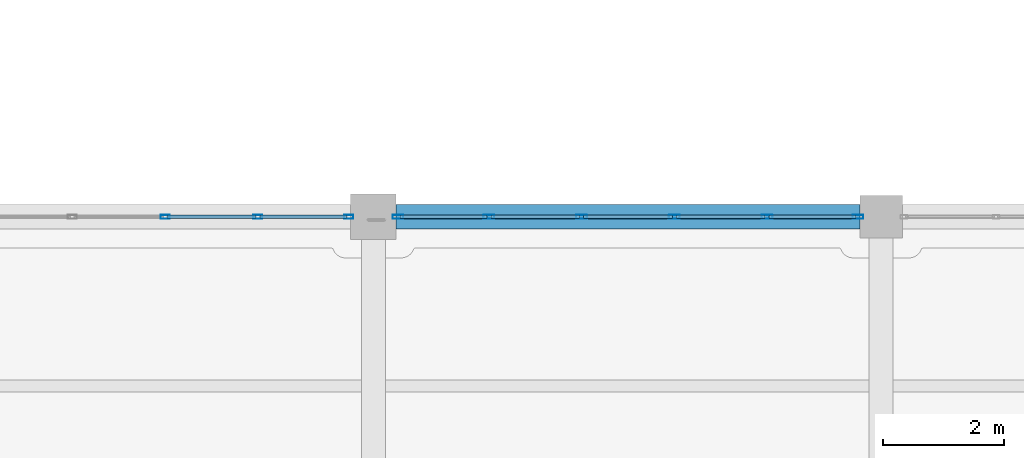
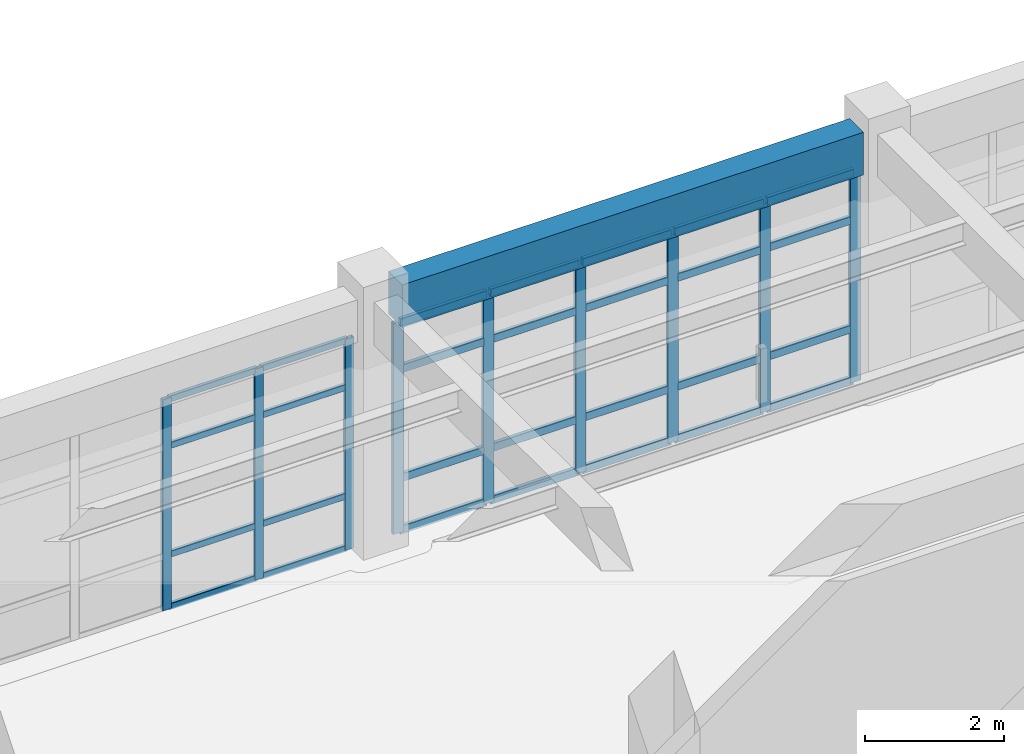
# One storey, part 22 of 98: 37 members, 1 beam, 2 elements without a shape of their own.
"""IFC4 building model written with IfcOpenShell, lengths in metres."""

from ifc_helpers import new_model, si_unit, direction, frame, origin, origin_2d, place, context, subcontext, project, spatial, rectangle, hollow_rectangle, extrude, material, material_profile, profile_set, type_object, element, aggregate, save


model = new_model("IFC4")

# Units and contexts
model_context = context("Model", 3, precision=1e-05, world=origin(), true_north=direction((0.0, 1.0)))
body_context = subcontext(model_context, "Body", "Model", "MODEL_VIEW")
ifc_project = project(units=[si_unit("LENGTHUNIT", "METRE"), si_unit("AREAUNIT", "SQUARE_METRE"), si_unit("VOLUMEUNIT", "CUBIC_METRE"), si_unit("PLANEANGLEUNIT", "RADIAN"), si_unit("MASSUNIT", "GRAM", prefix="KILO")], contexts=[model_context])

# Site, building, storey
site_placement = place(None, origin())
site = spatial("IfcSite", under=ifc_project, at=site_placement, CompositionType="ELEMENT")
building_placement = place(site_placement, origin())
building = spatial("IfcBuilding", under=site, at=building_placement, Name="Canglan Escarpment Cableway Terminal", CompositionType="ELEMENT")
storey_placement = place(building_placement, frame((0.0, 0.0, 9.60009765625)))
storey = spatial("IfcBuildingStorey", under=building, at=storey_placement, Name="L02", CompositionType="ELEMENT", Elevation=9.60009765625)

# Curtain wall, members
ifc_material_1 = material(Name="Anodized bronze aluminium and Low-E double glazing", Category="aluminium")
curtain_wall_type = type_object("IfcCurtainWallType", Name="CW-BAY-7675x3725", PredefinedType="NOTDEFINED", material=ifc_material_1)
curtain_wall_1_placement = place(storey_placement, origin())
curtain_wall_1 = element("IfcCurtainWall", 1, at=curtain_wall_1_placement, inside=storey, type_object=curtain_wall_type, Name="Classical bay-between-piers glazed curtain wall CW-05", PredefinedType="NOTDEFINED")
ifc_material_2 = material(Name="Thermally broken anodized aluminium 6063-T6", Category="aluminium")
ifc_material_profile_1 = material_profile(ifc_material_2, hollow_rectangle(XDim=0.06494140625, YDim=0.14990234375, WallThickness=0.00341796875, InnerFilletRadius=0.00341796875, OuterFilletRadius=0.007080078125, at=origin_2d()), Name="ALU-MULL 65x150x3.5")
ifc_profile_set_1 = profile_set([ifc_material_profile_1], Name="Thermally broken anodized aluminium 6063-T6")
member_type_1 = type_object("IfcMemberType", Name="CWM-02", PredefinedType="MULLION", material=ifc_profile_set_1)
member_1_placement = place(storey_placement, frame((84.992431640625, 24.800048828125, 0.0), z_axis=(0.0, 0.0, 1.0), x_axis=(0.0, -1.0, 0.0)))
member_1 = element("IfcMember", 2, at=member_1_placement, type_object=member_type_1, Name="CW-05 mullion 1", PredefinedType="MULLION", context=body_context, shape_type="SweptSolid", body=[
    extrude(hollow_rectangle(XDim=0.06494140625, YDim=0.14990234375, WallThickness=0.00341796875, InnerFilletRadius=0.00341796875, OuterFilletRadius=0.007080078125, at=origin_2d()), origin(), (0.0, 0.0, 1.0), 3.71484375),
])
member_2_placement = place(storey_placement, frame((83.489990234375, 24.800048828125, 0.0), z_axis=(0.0, 0.0, 1.0), x_axis=(0.0, -1.0, 0.0)))
member_2 = element("IfcMember", 3, at=member_2_placement, type_object=member_type_1, Name="CW-05 mullion 2", PredefinedType="MULLION", context=body_context, shape_type="SweptSolid", body=[
    extrude(hollow_rectangle(XDim=0.06494140625, YDim=0.14990234375, WallThickness=0.00341796875, InnerFilletRadius=0.00341796875, OuterFilletRadius=0.007080078125, at=origin_2d()), origin(), (0.0, 0.0, 1.0), 3.71484375),
])
member_3_placement = place(storey_placement, frame((81.955078125, 24.800048828125, 0.0), z_axis=(0.0, 0.0, 1.0), x_axis=(0.0, -1.0, 0.0)))
member_3 = element("IfcMember", 4, at=member_3_placement, type_object=member_type_1, Name="CW-05 mullion 3", PredefinedType="MULLION", context=body_context, shape_type="SweptSolid", body=[
    extrude(hollow_rectangle(XDim=0.06494140625, YDim=0.14990234375, WallThickness=0.00341796875, InnerFilletRadius=0.00341796875, OuterFilletRadius=0.007080078125, at=origin_2d()), origin(), (0.0, 0.0, 1.0), 3.71484375),
])

curtain_wall_2_placement = place(storey_placement, origin())
curtain_wall_2 = element("IfcCurtainWall", 5, at=curtain_wall_2_placement, inside=storey, type_object=curtain_wall_type, Name="Classical bay-between-piers glazed curtain wall CW-05", PredefinedType="NOTDEFINED")
ifc_material_profile_2 = material_profile(ifc_material_2, hollow_rectangle(XDim=0.06494140625, YDim=0.179931640625, WallThickness=0.00390625, InnerFilletRadius=0.00390625, OuterFilletRadius=0.008056640625, at=origin_2d()), Name="ALU-MULL 65x180x4")
ifc_profile_set_2 = profile_set([ifc_material_profile_2], Name="Thermally broken anodized aluminium 6063-T6")
member_type_2 = type_object("IfcMemberType", Name="CWM-03", PredefinedType="MULLION", material=ifc_profile_set_2)
member_4_placement = place(storey_placement, frame((93.41748046875, 24.800048828125, 0.0), z_axis=(0.0, 0.0, 1.0), x_axis=(0.0, -1.0, 0.0)))
member_4 = element("IfcMember", 6, at=member_4_placement, type_object=member_type_2, Name="CW-05 mullion 1", PredefinedType="MULLION", context=body_context, shape_type="SweptSolid", body=[
    extrude(hollow_rectangle(XDim=0.06494140625, YDim=0.179931640625, WallThickness=0.00390625, InnerFilletRadius=0.00390625, OuterFilletRadius=0.008056640625, at=origin_2d()), origin(), (0.0, 0.0, 1.0), 3.71484375),
])
member_5_placement = place(storey_placement, frame((91.9150390625, 24.800048828125, 0.0), z_axis=(0.0, 0.0, 1.0), x_axis=(0.0, -1.0, 0.0)))
member_5 = element("IfcMember", 7, at=member_5_placement, type_object=member_type_2, Name="CW-05 mullion 2", PredefinedType="MULLION", context=body_context, shape_type="SweptSolid", body=[
    extrude(hollow_rectangle(XDim=0.06494140625, YDim=0.179931640625, WallThickness=0.00390625, InnerFilletRadius=0.00390625, OuterFilletRadius=0.008056640625, at=origin_2d()), origin(), (0.0, 0.0, 1.0), 3.71484375),
])
member_6_placement = place(storey_placement, frame((90.3798828125, 24.800048828125, 0.0), z_axis=(0.0, 0.0, 1.0), x_axis=(0.0, -1.0, 0.0)))
member_6 = element("IfcMember", 8, at=member_6_placement, type_object=member_type_2, Name="CW-05 mullion 3", PredefinedType="MULLION", context=body_context, shape_type="SweptSolid", body=[
    extrude(hollow_rectangle(XDim=0.06494140625, YDim=0.179931640625, WallThickness=0.00390625, InnerFilletRadius=0.00390625, OuterFilletRadius=0.008056640625, at=origin_2d()), origin(), (0.0, 0.0, 1.0), 3.71484375),
])
member_7_placement = place(storey_placement, frame((88.844970703125, 24.800048828125, 0.0), z_axis=(0.0, 0.0, 1.0), x_axis=(0.0, -1.0, 0.0)))
member_7 = element("IfcMember", 9, at=member_7_placement, type_object=member_type_2, Name="CW-05 mullion 4", PredefinedType="MULLION", context=body_context, shape_type="SweptSolid", body=[
    extrude(hollow_rectangle(XDim=0.06494140625, YDim=0.179931640625, WallThickness=0.00390625, InnerFilletRadius=0.00390625, OuterFilletRadius=0.008056640625, at=origin_2d()), origin(), (0.0, 0.0, 1.0), 3.71484375),
])
member_8_placement = place(storey_placement, frame((87.31005859375, 24.800048828125, 0.0), z_axis=(0.0, 0.0, 1.0), x_axis=(0.0, -1.0, 0.0)))
member_8 = element("IfcMember", 10, at=member_8_placement, type_object=member_type_2, Name="CW-05 mullion 5", PredefinedType="MULLION", context=body_context, shape_type="SweptSolid", body=[
    extrude(hollow_rectangle(XDim=0.06494140625, YDim=0.179931640625, WallThickness=0.00390625, InnerFilletRadius=0.00390625, OuterFilletRadius=0.008056640625, at=origin_2d()), origin(), (0.0, 0.0, 1.0), 3.71484375),
])
member_9_placement = place(storey_placement, frame((85.8076171875, 24.800048828125, 0.0), z_axis=(0.0, 0.0, 1.0), x_axis=(0.0, -1.0, 0.0)))
member_9 = element("IfcMember", 11, at=member_9_placement, type_object=member_type_2, Name="CW-05 mullion 6", PredefinedType="MULLION", context=body_context, shape_type="SweptSolid", body=[
    extrude(hollow_rectangle(XDim=0.06494140625, YDim=0.179931640625, WallThickness=0.00390625, InnerFilletRadius=0.00390625, OuterFilletRadius=0.008056640625, at=origin_2d()), origin(), (0.0, 0.0, 1.0), 3.71484375),
])

# Member
ifc_material_profile_3 = material_profile(ifc_material_2, hollow_rectangle(XDim=0.06005859375, YDim=0.110107421875, WallThickness=0.0029296875, InnerFilletRadius=0.0029296875, OuterFilletRadius=0.006103515625, at=origin_2d()), Name="ALU-TRAN 60x110x3")
ifc_profile_set_3 = profile_set([ifc_material_profile_3], Name="Thermally broken anodized aluminium 6063-T6")
member_type_3 = type_object("IfcMemberType", Name="CWT-02", PredefinedType="USERDEFINED", material=ifc_profile_set_3)
member_10_placement = place(storey_placement, frame((84.9599609375, 24.800048828125, 0.02978515625), z_axis=(-1.0, 0.0, 0.0), x_axis=(0.0, -1.0, 0.0)))
member_10 = element("IfcMember", 12, at=member_10_placement, type_object=member_type_3, Name="CW-05 transom 1.1", ObjectType="TRANSOM", PredefinedType="USERDEFINED", context=body_context, shape_type="SweptSolid", body=[
    extrude(hollow_rectangle(XDim=0.06005859375, YDim=0.110107421875, WallThickness=0.0029296875, InnerFilletRadius=0.0029296875, OuterFilletRadius=0.006103515625, at=origin_2d()), origin(), (0.0, 0.0, 1.0), 1.4375),
])

member_11_placement = place(storey_placement, frame((84.9599609375, 24.800048828125, 0.949951171875), z_axis=(-1.0, 0.0, 0.0), x_axis=(0.0, -1.0, 0.0)))
member_11 = element("IfcMember", 13, at=member_11_placement, type_object=member_type_3, Name="CW-05 transom 1.2", ObjectType="TRANSOM", PredefinedType="USERDEFINED", context=body_context, shape_type="SweptSolid", body=[
    extrude(hollow_rectangle(XDim=0.06005859375, YDim=0.110107421875, WallThickness=0.0029296875, InnerFilletRadius=0.0029296875, OuterFilletRadius=0.006103515625, at=origin_2d()), origin(), (0.0, 0.0, 1.0), 1.4375),
])

member_12_placement = place(storey_placement, frame((84.9599609375, 24.800048828125, 2.864990234375), z_axis=(-1.0, 0.0, 0.0), x_axis=(0.0, -1.0, 0.0)))
member_12 = element("IfcMember", 14, at=member_12_placement, type_object=member_type_3, Name="CW-05 transom 1.3", ObjectType="TRANSOM", PredefinedType="USERDEFINED", context=body_context, shape_type="SweptSolid", body=[
    extrude(hollow_rectangle(XDim=0.06005859375, YDim=0.110107421875, WallThickness=0.0029296875, InnerFilletRadius=0.0029296875, OuterFilletRadius=0.006103515625, at=origin_2d()), origin(), (0.0, 0.0, 1.0), 1.4375),
])

member_13_placement = place(storey_placement, frame((84.9599609375, 24.800048828125, 3.684814453125), z_axis=(-1.0, 0.0, 0.0), x_axis=(0.0, -1.0, 0.0)))
member_13 = element("IfcMember", 15, at=member_13_placement, type_object=member_type_3, Name="CW-05 transom 1.4", ObjectType="TRANSOM", PredefinedType="USERDEFINED", context=body_context, shape_type="SweptSolid", body=[
    extrude(hollow_rectangle(XDim=0.06005859375, YDim=0.110107421875, WallThickness=0.0029296875, InnerFilletRadius=0.0029296875, OuterFilletRadius=0.006103515625, at=origin_2d()), origin(), (0.0, 0.0, 1.0), 1.4375),
])

member_14_placement = place(storey_placement, frame((83.45751953125, 24.800048828125, 0.02978515625), z_axis=(-1.0, 0.0, 0.0), x_axis=(0.0, -1.0, 0.0)))
member_14 = element("IfcMember", 16, at=member_14_placement, type_object=member_type_3, Name="CW-05 transom 2.1", ObjectType="TRANSOM", PredefinedType="USERDEFINED", context=body_context, shape_type="SweptSolid", body=[
    extrude(hollow_rectangle(XDim=0.06005859375, YDim=0.110107421875, WallThickness=0.0029296875, InnerFilletRadius=0.0029296875, OuterFilletRadius=0.006103515625, at=origin_2d()), origin(), (0.0, 0.0, 1.0), 1.469970703125),
])

member_15_placement = place(storey_placement, frame((83.45751953125, 24.800048828125, 0.949951171875), z_axis=(-1.0, 0.0, 0.0), x_axis=(0.0, -1.0, 0.0)))
member_15 = element("IfcMember", 17, at=member_15_placement, type_object=member_type_3, Name="CW-05 transom 2.2", ObjectType="TRANSOM", PredefinedType="USERDEFINED", context=body_context, shape_type="SweptSolid", body=[
    extrude(hollow_rectangle(XDim=0.06005859375, YDim=0.110107421875, WallThickness=0.0029296875, InnerFilletRadius=0.0029296875, OuterFilletRadius=0.006103515625, at=origin_2d()), origin(), (0.0, 0.0, 1.0), 1.469970703125),
])

member_16_placement = place(storey_placement, frame((83.45751953125, 24.800048828125, 2.864990234375), z_axis=(-1.0, 0.0, 0.0), x_axis=(0.0, -1.0, 0.0)))
member_16 = element("IfcMember", 18, at=member_16_placement, type_object=member_type_3, Name="CW-05 transom 2.3", ObjectType="TRANSOM", PredefinedType="USERDEFINED", context=body_context, shape_type="SweptSolid", body=[
    extrude(hollow_rectangle(XDim=0.06005859375, YDim=0.110107421875, WallThickness=0.0029296875, InnerFilletRadius=0.0029296875, OuterFilletRadius=0.006103515625, at=origin_2d()), origin(), (0.0, 0.0, 1.0), 1.469970703125),
])

member_17_placement = place(storey_placement, frame((83.45751953125, 24.800048828125, 3.684814453125), z_axis=(-1.0, 0.0, 0.0), x_axis=(0.0, -1.0, 0.0)))
member_17 = element("IfcMember", 19, at=member_17_placement, type_object=member_type_3, Name="CW-05 transom 2.4", ObjectType="TRANSOM", PredefinedType="USERDEFINED", context=body_context, shape_type="SweptSolid", body=[
    extrude(hollow_rectangle(XDim=0.06005859375, YDim=0.110107421875, WallThickness=0.0029296875, InnerFilletRadius=0.0029296875, OuterFilletRadius=0.006103515625, at=origin_2d()), origin(), (0.0, 0.0, 1.0), 1.469970703125),
])

aggregate(curtain_wall_1, [member_1, member_2, member_3, member_10, member_11, member_12, member_13, member_14, member_15, member_16, member_17])

ifc_material_profile_4 = material_profile(ifc_material_2, hollow_rectangle(XDim=0.06494140625, YDim=0.139892578125, WallThickness=0.00341796875, InnerFilletRadius=0.00341796875, OuterFilletRadius=0.007080078125, at=origin_2d()), Name="ALU-TRAN 65x140x3.5")
ifc_profile_set_4 = profile_set([ifc_material_profile_4], Name="Thermally broken anodized aluminium 6063-T6")
member_type_4 = type_object("IfcMemberType", Name="CWT-03", PredefinedType="USERDEFINED", material=ifc_profile_set_4)
member_18_placement = place(storey_placement, frame((93.385009765625, 24.800048828125, 0.032470703125), z_axis=(-1.0, 0.0, 0.0), x_axis=(0.0, -1.0, 0.0)))
member_18 = element("IfcMember", 20, at=member_18_placement, type_object=member_type_4, Name="CW-05 transom 1.1", ObjectType="TRANSOM", PredefinedType="USERDEFINED", context=body_context, shape_type="SweptSolid", body=[
    extrude(hollow_rectangle(XDim=0.06494140625, YDim=0.139892578125, WallThickness=0.00341796875, InnerFilletRadius=0.00341796875, OuterFilletRadius=0.007080078125, at=origin_2d()), origin(), (0.0, 0.0, 1.0), 1.4375),
])

member_19_placement = place(storey_placement, frame((93.385009765625, 24.800048828125, 0.949951171875), z_axis=(-1.0, 0.0, 0.0), x_axis=(0.0, -1.0, 0.0)))
member_19 = element("IfcMember", 21, at=member_19_placement, type_object=member_type_4, Name="CW-05 transom 1.2", ObjectType="TRANSOM", PredefinedType="USERDEFINED", context=body_context, shape_type="SweptSolid", body=[
    extrude(hollow_rectangle(XDim=0.06494140625, YDim=0.139892578125, WallThickness=0.00341796875, InnerFilletRadius=0.00341796875, OuterFilletRadius=0.007080078125, at=origin_2d()), origin(), (0.0, 0.0, 1.0), 1.4375),
])

member_20_placement = place(storey_placement, frame((93.385009765625, 24.800048828125, 2.864990234375), z_axis=(-1.0, 0.0, 0.0), x_axis=(0.0, -1.0, 0.0)))
member_20 = element("IfcMember", 22, at=member_20_placement, type_object=member_type_4, Name="CW-05 transom 1.3", ObjectType="TRANSOM", PredefinedType="USERDEFINED", context=body_context, shape_type="SweptSolid", body=[
    extrude(hollow_rectangle(XDim=0.06494140625, YDim=0.139892578125, WallThickness=0.00341796875, InnerFilletRadius=0.00341796875, OuterFilletRadius=0.007080078125, at=origin_2d()), origin(), (0.0, 0.0, 1.0), 1.4375),
])

member_21_placement = place(storey_placement, frame((93.385009765625, 24.800048828125, 3.682373046875), z_axis=(-1.0, 0.0, 0.0), x_axis=(0.0, -1.0, 0.0)))
member_21 = element("IfcMember", 23, at=member_21_placement, type_object=member_type_4, Name="CW-05 transom 1.4", ObjectType="TRANSOM", PredefinedType="USERDEFINED", context=body_context, shape_type="SweptSolid", body=[
    extrude(hollow_rectangle(XDim=0.06494140625, YDim=0.139892578125, WallThickness=0.00341796875, InnerFilletRadius=0.00341796875, OuterFilletRadius=0.007080078125, at=origin_2d()), origin(), (0.0, 0.0, 1.0), 1.4375),
])

member_22_placement = place(storey_placement, frame((91.882568359375, 24.800048828125, 0.032470703125), z_axis=(-1.0, 0.0, 0.0), x_axis=(0.0, -1.0, 0.0)))
member_22 = element("IfcMember", 24, at=member_22_placement, type_object=member_type_4, Name="CW-05 transom 2.1", ObjectType="TRANSOM", PredefinedType="USERDEFINED", context=body_context, shape_type="SweptSolid", body=[
    extrude(hollow_rectangle(XDim=0.06494140625, YDim=0.139892578125, WallThickness=0.00341796875, InnerFilletRadius=0.00341796875, OuterFilletRadius=0.007080078125, at=origin_2d()), origin(), (0.0, 0.0, 1.0), 1.469970703125),
])

member_23_placement = place(storey_placement, frame((91.882568359375, 24.800048828125, 0.949951171875), z_axis=(-1.0, 0.0, 0.0), x_axis=(0.0, -1.0, 0.0)))
member_23 = element("IfcMember", 25, at=member_23_placement, type_object=member_type_4, Name="CW-05 transom 2.2", ObjectType="TRANSOM", PredefinedType="USERDEFINED", context=body_context, shape_type="SweptSolid", body=[
    extrude(hollow_rectangle(XDim=0.06494140625, YDim=0.139892578125, WallThickness=0.00341796875, InnerFilletRadius=0.00341796875, OuterFilletRadius=0.007080078125, at=origin_2d()), origin(), (0.0, 0.0, 1.0), 1.469970703125),
])

member_24_placement = place(storey_placement, frame((91.882568359375, 24.800048828125, 2.864990234375), z_axis=(-1.0, 0.0, 0.0), x_axis=(0.0, -1.0, 0.0)))
member_24 = element("IfcMember", 26, at=member_24_placement, type_object=member_type_4, Name="CW-05 transom 2.3", ObjectType="TRANSOM", PredefinedType="USERDEFINED", context=body_context, shape_type="SweptSolid", body=[
    extrude(hollow_rectangle(XDim=0.06494140625, YDim=0.139892578125, WallThickness=0.00341796875, InnerFilletRadius=0.00341796875, OuterFilletRadius=0.007080078125, at=origin_2d()), origin(), (0.0, 0.0, 1.0), 1.469970703125),
])

member_25_placement = place(storey_placement, frame((91.882568359375, 24.800048828125, 3.682373046875), z_axis=(-1.0, 0.0, 0.0), x_axis=(0.0, -1.0, 0.0)))
member_25 = element("IfcMember", 27, at=member_25_placement, type_object=member_type_4, Name="CW-05 transom 2.4", ObjectType="TRANSOM", PredefinedType="USERDEFINED", context=body_context, shape_type="SweptSolid", body=[
    extrude(hollow_rectangle(XDim=0.06494140625, YDim=0.139892578125, WallThickness=0.00341796875, InnerFilletRadius=0.00341796875, OuterFilletRadius=0.007080078125, at=origin_2d()), origin(), (0.0, 0.0, 1.0), 1.469970703125),
])

member_26_placement = place(storey_placement, frame((90.347412109375, 24.800048828125, 0.032470703125), z_axis=(-1.0, 0.0, 0.0), x_axis=(0.0, -1.0, 0.0)))
member_26 = element("IfcMember", 28, at=member_26_placement, type_object=member_type_4, Name="CW-05 transom 3.1", ObjectType="TRANSOM", PredefinedType="USERDEFINED", context=body_context, shape_type="SweptSolid", body=[
    extrude(hollow_rectangle(XDim=0.06494140625, YDim=0.139892578125, WallThickness=0.00341796875, InnerFilletRadius=0.00341796875, OuterFilletRadius=0.007080078125, at=origin_2d()), origin(), (0.0, 0.0, 1.0), 1.469970703125),
])

member_27_placement = place(storey_placement, frame((90.347412109375, 24.800048828125, 0.949951171875), z_axis=(-1.0, 0.0, 0.0), x_axis=(0.0, -1.0, 0.0)))
member_27 = element("IfcMember", 29, at=member_27_placement, type_object=member_type_4, Name="CW-05 transom 3.2", ObjectType="TRANSOM", PredefinedType="USERDEFINED", context=body_context, shape_type="SweptSolid", body=[
    extrude(hollow_rectangle(XDim=0.06494140625, YDim=0.139892578125, WallThickness=0.00341796875, InnerFilletRadius=0.00341796875, OuterFilletRadius=0.007080078125, at=origin_2d()), origin(), (0.0, 0.0, 1.0), 1.469970703125),
])

member_28_placement = place(storey_placement, frame((90.347412109375, 24.800048828125, 2.864990234375), z_axis=(-1.0, 0.0, 0.0), x_axis=(0.0, -1.0, 0.0)))
member_28 = element("IfcMember", 30, at=member_28_placement, type_object=member_type_4, Name="CW-05 transom 3.3", ObjectType="TRANSOM", PredefinedType="USERDEFINED", context=body_context, shape_type="SweptSolid", body=[
    extrude(hollow_rectangle(XDim=0.06494140625, YDim=0.139892578125, WallThickness=0.00341796875, InnerFilletRadius=0.00341796875, OuterFilletRadius=0.007080078125, at=origin_2d()), origin(), (0.0, 0.0, 1.0), 1.469970703125),
])

member_29_placement = place(storey_placement, frame((90.347412109375, 24.800048828125, 3.682373046875), z_axis=(-1.0, 0.0, 0.0), x_axis=(0.0, -1.0, 0.0)))
member_29 = element("IfcMember", 31, at=member_29_placement, type_object=member_type_4, Name="CW-05 transom 3.4", ObjectType="TRANSOM", PredefinedType="USERDEFINED", context=body_context, shape_type="SweptSolid", body=[
    extrude(hollow_rectangle(XDim=0.06494140625, YDim=0.139892578125, WallThickness=0.00341796875, InnerFilletRadius=0.00341796875, OuterFilletRadius=0.007080078125, at=origin_2d()), origin(), (0.0, 0.0, 1.0), 1.469970703125),
])

member_30_placement = place(storey_placement, frame((88.8125, 24.800048828125, 0.032470703125), z_axis=(-1.0, 0.0, 0.0), x_axis=(0.0, -1.0, 0.0)))
member_30 = element("IfcMember", 32, at=member_30_placement, type_object=member_type_4, Name="CW-05 transom 4.1", ObjectType="TRANSOM", PredefinedType="USERDEFINED", context=body_context, shape_type="SweptSolid", body=[
    extrude(hollow_rectangle(XDim=0.06494140625, YDim=0.139892578125, WallThickness=0.00341796875, InnerFilletRadius=0.00341796875, OuterFilletRadius=0.007080078125, at=origin_2d()), origin(), (0.0, 0.0, 1.0), 1.469970703125),
])

member_31_placement = place(storey_placement, frame((88.8125, 24.800048828125, 0.949951171875), z_axis=(-1.0, 0.0, 0.0), x_axis=(0.0, -1.0, 0.0)))
member_31 = element("IfcMember", 33, at=member_31_placement, type_object=member_type_4, Name="CW-05 transom 4.2", ObjectType="TRANSOM", PredefinedType="USERDEFINED", context=body_context, shape_type="SweptSolid", body=[
    extrude(hollow_rectangle(XDim=0.06494140625, YDim=0.139892578125, WallThickness=0.00341796875, InnerFilletRadius=0.00341796875, OuterFilletRadius=0.007080078125, at=origin_2d()), origin(), (0.0, 0.0, 1.0), 1.469970703125),
])

member_32_placement = place(storey_placement, frame((88.8125, 24.800048828125, 2.864990234375), z_axis=(-1.0, 0.0, 0.0), x_axis=(0.0, -1.0, 0.0)))
member_32 = element("IfcMember", 34, at=member_32_placement, type_object=member_type_4, Name="CW-05 transom 4.3", ObjectType="TRANSOM", PredefinedType="USERDEFINED", context=body_context, shape_type="SweptSolid", body=[
    extrude(hollow_rectangle(XDim=0.06494140625, YDim=0.139892578125, WallThickness=0.00341796875, InnerFilletRadius=0.00341796875, OuterFilletRadius=0.007080078125, at=origin_2d()), origin(), (0.0, 0.0, 1.0), 1.469970703125),
])

member_33_placement = place(storey_placement, frame((88.8125, 24.800048828125, 3.682373046875), z_axis=(-1.0, 0.0, 0.0), x_axis=(0.0, -1.0, 0.0)))
member_33 = element("IfcMember", 35, at=member_33_placement, type_object=member_type_4, Name="CW-05 transom 4.4", ObjectType="TRANSOM", PredefinedType="USERDEFINED", context=body_context, shape_type="SweptSolid", body=[
    extrude(hollow_rectangle(XDim=0.06494140625, YDim=0.139892578125, WallThickness=0.00341796875, InnerFilletRadius=0.00341796875, OuterFilletRadius=0.007080078125, at=origin_2d()), origin(), (0.0, 0.0, 1.0), 1.469970703125),
])

member_34_placement = place(storey_placement, frame((87.277587890625, 24.800048828125, 0.032470703125), z_axis=(-1.0, 0.0, 0.0), x_axis=(0.0, -1.0, 0.0)))
member_34 = element("IfcMember", 36, at=member_34_placement, type_object=member_type_4, Name="CW-05 transom 5.1", ObjectType="TRANSOM", PredefinedType="USERDEFINED", context=body_context, shape_type="SweptSolid", body=[
    extrude(hollow_rectangle(XDim=0.06494140625, YDim=0.139892578125, WallThickness=0.00341796875, InnerFilletRadius=0.00341796875, OuterFilletRadius=0.007080078125, at=origin_2d()), origin(), (0.0, 0.0, 1.0), 1.4375),
])

member_35_placement = place(storey_placement, frame((87.277587890625, 24.800048828125, 0.949951171875), z_axis=(-1.0, 0.0, 0.0), x_axis=(0.0, -1.0, 0.0)))
member_35 = element("IfcMember", 37, at=member_35_placement, type_object=member_type_4, Name="CW-05 transom 5.2", ObjectType="TRANSOM", PredefinedType="USERDEFINED", context=body_context, shape_type="SweptSolid", body=[
    extrude(hollow_rectangle(XDim=0.06494140625, YDim=0.139892578125, WallThickness=0.00341796875, InnerFilletRadius=0.00341796875, OuterFilletRadius=0.007080078125, at=origin_2d()), origin(), (0.0, 0.0, 1.0), 1.4375),
])

member_36_placement = place(storey_placement, frame((87.277587890625, 24.800048828125, 2.864990234375), z_axis=(-1.0, 0.0, 0.0), x_axis=(0.0, -1.0, 0.0)))
member_36 = element("IfcMember", 38, at=member_36_placement, type_object=member_type_4, Name="CW-05 transom 5.3", ObjectType="TRANSOM", PredefinedType="USERDEFINED", context=body_context, shape_type="SweptSolid", body=[
    extrude(hollow_rectangle(XDim=0.06494140625, YDim=0.139892578125, WallThickness=0.00341796875, InnerFilletRadius=0.00341796875, OuterFilletRadius=0.007080078125, at=origin_2d()), origin(), (0.0, 0.0, 1.0), 1.4375),
])

member_37_placement = place(storey_placement, frame((87.277587890625, 24.800048828125, 3.682373046875), z_axis=(-1.0, 0.0, 0.0), x_axis=(0.0, -1.0, 0.0)))
member_37 = element("IfcMember", 39, at=member_37_placement, type_object=member_type_4, Name="CW-05 transom 5.4", ObjectType="TRANSOM", PredefinedType="USERDEFINED", context=body_context, shape_type="SweptSolid", body=[
    extrude(hollow_rectangle(XDim=0.06494140625, YDim=0.139892578125, WallThickness=0.00341796875, InnerFilletRadius=0.00341796875, OuterFilletRadius=0.007080078125, at=origin_2d()), origin(), (0.0, 0.0, 1.0), 1.4375),
])

aggregate(curtain_wall_2, [member_4, member_5, member_6, member_7, member_8, member_9, member_18, member_19, member_20, member_21, member_22, member_23, member_24, member_25, member_26, member_27, member_28, member_29, member_30, member_31, member_32, member_33, member_34, member_35, member_36, member_37])

# Beam
ifc_material_3 = material(Name="Concrete C40", Category="concrete")
ifc_material_profile_5 = material_profile(ifc_material_3, rectangle(XDim=0.39990234375, YDim=0.75, at=origin_2d()), Name="RC 400x750")
ifc_profile_set_5 = profile_set([ifc_material_profile_5], Name="Concrete C40")
beam_type = type_object("IfcBeamType", Name="SP-RC400x750", PredefinedType="SPANDREL", material=ifc_profile_set_5)
beam_placement = place(storey_placement, frame((85.77490234375, 24.800048828125, 4.10498046875), z_axis=(1.0, 0.0, 0.0), x_axis=(0.0, 1.0, 0.0)))
element("IfcBeam", 40, at=beam_placement, inside=storey, type_object=beam_type, Name="Primary structural girder SP-01", PredefinedType="SPANDREL", context=body_context, shape_type="SweptSolid", body=[
    extrude(rectangle(XDim=0.39990234375, YDim=0.75, at=origin_2d()), origin(), (0.0, 0.0, 1.0), 7.675048828125),
])

save(model, "model.ifc")
